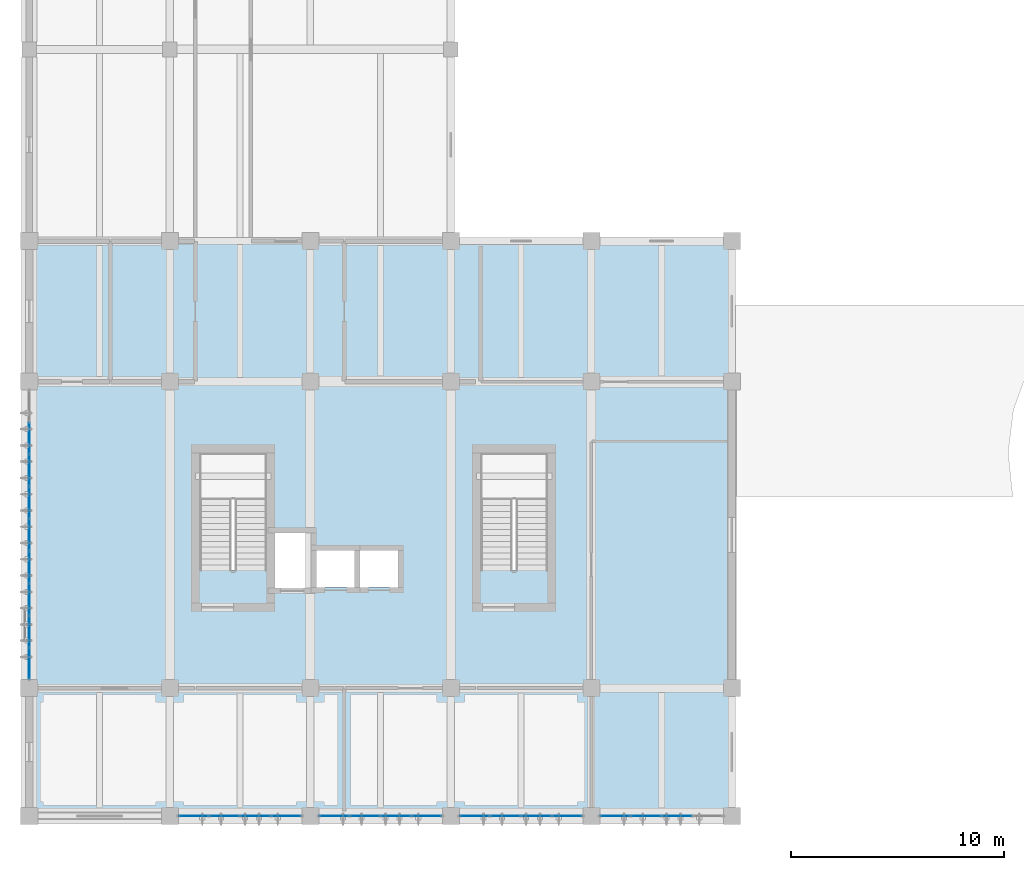
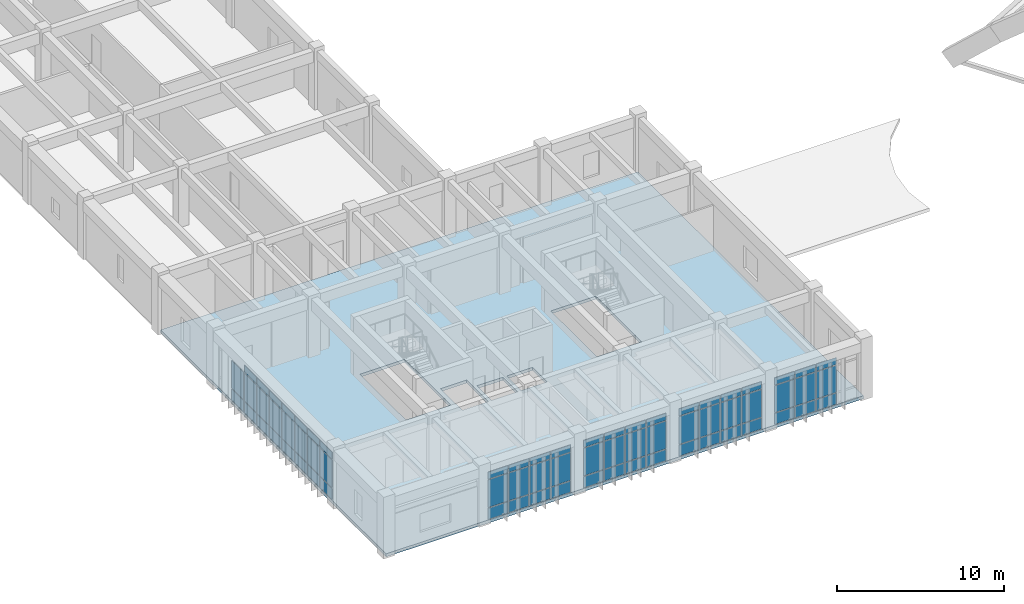
# One storey, part 15 of 34: 68 plates, 1 slab, 5 elements without a shape of their own.
"""IFC4 building model written with IfcOpenShell, lengths in metres."""

import ifcopenshell
import ifcopenshell.guid

model = None  # the IFC model being written
_history = None  # IfcOwnerHistory: only IFC2X3 demands one
_inside = {}  # id of a spatial element -> (the spatial element, [elements in it])
_under = {}  # id of a project, library or spatial element -> (it, [spatial elements below it])
_declared = {}  # id of a project -> (the project, [libraries it declares])
_typed = {}  # id of a type object -> (the type object, [elements of that type])
_made_of = {}  # id of a material, layer set ... -> (it, [elements and type objects made of it])


def new_model(schema):
    """Start an empty IFC model of exactly this schema.

    Asked for "IFC4X3", IfcOpenShell would pick the latest addendum, in which some entities
    have other attributes; the version numbers below select the first issue.
    IFC2X3 requires an IfcOwnerHistory on every rooted entity: one is made here for all.
    """
    global model, _history
    if schema == "IFC4X3":
        model = ifcopenshell.file(schema_version=(4, 3, 0, 0))
    else:
        model = ifcopenshell.file(schema=schema)
    _inside.clear()
    _under.clear()
    _declared.clear()
    _typed.clear()
    _made_of.clear()
    _history = None
    if model.schema == "IFC2X3":
        org = make("IfcOrganization", Name="unknown")
        user = make(
            "IfcPersonAndOrganization",
            ThePerson=make("IfcPerson", FamilyName="unknown"),
            TheOrganization=org,
        )
        app = make(
            "IfcApplication",
            ApplicationDeveloper=org,
            Version="unknown",
            ApplicationFullName="unknown",
            ApplicationIdentifier="unknown",
        )
        _history = make(
            "IfcOwnerHistory",
            OwningUser=user,
            OwningApplication=app,
            ChangeAction="ADDED",
            CreationDate=0,
        )
    return model


def make(cls, **values):
    """One entity of the class cls with the attributes given. An attribute that is None is left unset."""
    return model.create_entity(
        cls, **{name: value for name, value in values.items() if value is not None}
    )


def rooted(cls, **values):
    """An entity with a GlobalId (a new one), such as an element, a storey or a relation."""
    return make(cls, GlobalId=ifcopenshell.guid.new(), OwnerHistory=_history, **values)


def si_unit(unit_type, name, prefix=None):
    """IfcSIUnit, for example si_unit("LENGTHUNIT", "METRE", prefix="MILLI")."""
    return make("IfcSIUnit", UnitType=unit_type, Prefix=prefix, Name=name)


def assignment(units):
    """IfcUnitAssignment: the units of a project."""
    return None if units is None else make("IfcUnitAssignment", Units=units)


def point(xyz):
    """IfcCartesianPoint."""
    return None if xyz is None else make("IfcCartesianPoint", Coordinates=xyz)


def direction(xyz):
    """IfcDirection."""
    return None if xyz is None else make("IfcDirection", DirectionRatios=xyz)


def frame(location, z_axis=None, x_axis=None):
    """IfcAxis2Placement3D, a coordinate frame: its origin and axes. An axis left out is left unset."""
    return make(
        "IfcAxis2Placement3D",
        Location=point(location),
        Axis=direction(z_axis),
        RefDirection=direction(x_axis),
    )


def frame_2d(location, x_axis=None):
    """IfcAxis2Placement2D, a coordinate frame in the plane: its origin and x axis."""
    return make(
        "IfcAxis2Placement2D", Location=point(location), RefDirection=direction(x_axis)
    )


def origin():
    """The frame at (0, 0, 0) with its axes left unset."""
    return frame((0.0, 0.0, 0.0))


def origin_2d():
    """The frame at (0, 0) in the plane with its x axis left unset."""
    return frame_2d((0.0, 0.0))


def place(relative_to, where):
    """IfcLocalPlacement: puts the frame where relative to a parent placement (None: the world)."""
    return make(
        "IfcLocalPlacement", PlacementRelTo=relative_to, RelativePlacement=where
    )


def context(
    kind, dimensions, precision=None, world=None, true_north=None, identifier=None
):
    """IfcGeometricRepresentationContext, for example the 3D "Model" context."""
    return make(
        "IfcGeometricRepresentationContext",
        ContextIdentifier=identifier,
        ContextType=kind,
        CoordinateSpaceDimension=dimensions,
        Precision=precision,
        WorldCoordinateSystem=world,
        TrueNorth=true_north,
    )


def subcontext(parent, identifier, kind, view, scale=None):
    """IfcGeometricRepresentationSubContext, for example "Body" below "Model"."""
    return make(
        "IfcGeometricRepresentationSubContext",
        ContextIdentifier=identifier,
        ContextType=kind,
        ParentContext=parent,
        TargetScale=scale,
        TargetView=view,
    )


def project(units=None, contexts=None):
    """IfcProject with its units and contexts."""
    return rooted(
        "IfcProject",
        Name="project",
        RepresentationContexts=contexts,
        UnitsInContext=assignment(units),
    )


def spatial(cls, under=None, at=None, **own):
    """A site, building, storey or space (cls), placed at a placement, below another one or the project."""
    s = rooted(cls, ObjectPlacement=at, **own)
    if under is not None:
        _under.setdefault(under.id(), (under, []))[1].append(s)
    return s


def polyline(points):
    """IfcPolyline through the points."""
    return make("IfcPolyline", Points=[point(p) for p in points])


def profile(cls, at=None, kind="AREA", **sizes):
    """A parametric profile (cls). Its sizes go by their IFC names, for example OverallWidth=200.0."""
    return make(cls, ProfileType=kind, Position=at, **sizes)


def rectangle(**sizes):
    """IfcRectangleProfileDef."""
    return profile("IfcRectangleProfileDef", **sizes)


def outline(outer, holes=None, kind="AREA"):
    """IfcArbitraryClosedProfileDef: a profile drawn as a closed curve; with holes, ...WithVoids."""
    if holes is None:
        return make("IfcArbitraryClosedProfileDef", ProfileType=kind, OuterCurve=outer)
    return make(
        "IfcArbitraryProfileDefWithVoids",
        ProfileType=kind,
        OuterCurve=outer,
        InnerCurves=holes,
    )


def extrude(swept, where, along, depth):
    """IfcExtrudedAreaSolid: the profile swept, set in the frame where, extruded along a direction by depth."""
    return make(
        "IfcExtrudedAreaSolid",
        SweptArea=swept,
        Position=where,
        ExtrudedDirection=direction(along),
        Depth=depth,
    )


def shape(context_of_items, identifier, shape_type, items):
    """IfcShapeRepresentation: the items that make up one representation, for example the "Body"."""
    return make(
        "IfcShapeRepresentation",
        ContextOfItems=context_of_items,
        RepresentationIdentifier=identifier,
        RepresentationType=shape_type,
        Items=items,
    )


def material(Name=None, Category=None):
    """IfcMaterial."""
    return make("IfcMaterial", Name=Name, Category=Category)


def layer(
    of_material, thickness, ventilated=None, Name=None, Category=None, Priority=None
):
    """IfcMaterialLayer: one layer of a wall or slab, of a material (None: an air gap)."""
    return make(
        "IfcMaterialLayer",
        Material=of_material,
        LayerThickness=thickness,
        IsVentilated=ventilated,
        Name=Name,
        Category=Category,
        Priority=Priority,
    )


def layer_set(layers, Name=None):
    """IfcMaterialLayerSet."""
    return make("IfcMaterialLayerSet", MaterialLayers=layers, LayerSetName=Name)


def made_of(thing, what):
    """Note that an element or type object is made of a material, layer set ...; save() writes the relation."""
    if what is not None:
        _made_of.setdefault(what.id(), (what, []))[1].append(thing)
    return thing


def type_object(cls, material=None, **own):
    """A type object (cls), such as IfcWallType, which elements share."""
    return made_of(rooted(cls, **own), material)


def element(
    cls,
    number,
    at=None,
    inside=None,
    cuts=None,
    type_object=None,
    material=None,
    context=None,
    identifier="Body",
    shape_type=None,
    held_by="IfcProductDefinitionShape",
    body=None,
    shapes=None,
    **own,
):
    """One element of the class cls, such as IfcWall. Its Tag is "e" and its number.

    at: its placement. inside: the storey or other place that contains it. cuts: it is an
    opening in that element (IfcRelVoidsElement). A single representation is given by context,
    identifier, shape_type and body (its items); several are given by shapes. held_by: the class
    of the entity that holds the representations. save() writes the other relations.
    """
    e = rooted(cls, Tag="e%d" % number, ObjectPlacement=at, **own)
    if body is not None:
        shapes = [shape(context, identifier, shape_type, body)]
    if shapes is not None:
        e.Representation = make(held_by, Representations=shapes)
    if inside is not None:
        _inside.setdefault(inside.id(), (inside, []))[1].append(e)
    if cuts is not None:
        rooted(
            "IfcRelVoidsElement", RelatingBuildingElement=cuts, RelatedOpeningElement=e
        )
    if type_object is not None:
        _typed.setdefault(type_object.id(), (type_object, []))[1].append(e)
    return made_of(e, material)


def aggregate(whole, parts):
    """IfcRelAggregates: a whole, such as a stair, and the parts it consists of."""
    return rooted("IfcRelAggregates", RelatingObject=whole, RelatedObjects=parts)


def save(model, path):
    """Write the relations noted so far, then the file.

    IfcRelAggregates (storeys below a building ...), IfcRelContainedInSpatialStructure (elements
    in a storey), IfcRelDefinesByType, IfcRelAssociatesMaterial and IfcRelDeclares: one each for
    every whole, place, type object, material and project.
    """
    for whole, parts in _under.values():
        aggregate(whole, parts)
    for where, things in _inside.values():
        rooted(
            "IfcRelContainedInSpatialStructure",
            RelatedElements=things,
            RelatingStructure=where,
        )
    for kind, things in _typed.values():
        rooted("IfcRelDefinesByType", RelatedObjects=things, RelatingType=kind)
    for what, things in _made_of.values():
        rooted("IfcRelAssociatesMaterial", RelatedObjects=things, RelatingMaterial=what)
    for by, libraries in _declared.values():
        rooted("IfcRelDeclares", RelatingContext=by, RelatedDefinitions=libraries)
    model.write(path)


model = new_model("IFC4")

# Units and contexts
model_context = context("Model", 3, precision=1e-05, world=origin(), true_north=direction((0.0, 1.0)))
body_context = subcontext(model_context, "Body", "Model", "MODEL_VIEW")
ifc_project = project(units=[si_unit("LENGTHUNIT", "METRE"), si_unit("AREAUNIT", "SQUARE_METRE"), si_unit("VOLUMEUNIT", "CUBIC_METRE"), si_unit("PLANEANGLEUNIT", "RADIAN"), si_unit("MASSUNIT", "GRAM", prefix="KILO")], contexts=[model_context])

# Site, building, storey
site_placement = place(None, origin())
site = spatial("IfcSite", under=ifc_project, at=site_placement, CompositionType="ELEMENT")
building_placement = place(site_placement, origin())
building = spatial("IfcBuilding", under=site, at=building_placement, Name="Miralva Faculty of Natural Sciences", CompositionType="ELEMENT")
storey_placement = place(building_placement, frame((0.0, 0.0, 24.0)))
storey = spatial("IfcBuildingStorey", under=building, at=storey_placement, Name="L05", CompositionType="ELEMENT", Elevation=24.0)

# Curtain wall, plates
ifc_material_1 = material(Name="Laminated solar-control glass", Category="glass")
ifc_layer_1 = layer(ifc_material_1, 0.179931640625, Name="CW-TWR-L03")
ifc_layer_set_1 = layer_set([ifc_layer_1], Name="Laminated solar-control glass")
curtain_wall_type = type_object("IfcCurtainWallType", Name="CW-TWR-L03", PredefinedType="USERDEFINED", material=ifc_layer_set_1)
curtain_wall_1_placement = place(storey_placement, origin())
curtain_wall_1 = element("IfcCurtainWall", 1, at=curtain_wall_1_placement, inside=storey, type_object=curtain_wall_type, Name="Curtain wall CW-14 L05-234", ObjectType="UNITISED CURTAIN WALL", PredefinedType="USERDEFINED")
ifc_layer_2 = layer(ifc_material_1, 0.028076171875, Name="PNL-P01")
ifc_layer_set_2 = layer_set([ifc_layer_2], Name="Laminated solar-control glass")
plate_type = type_object("IfcPlateType", Name="PNL-P01", PredefinedType="CURTAIN_PANEL", material=ifc_layer_set_2)
plate_1_placement = place(storey_placement, frame((10.72998046875, 3.0, 0.06005859375), z_axis=(0.0, 0.0, 1.0), x_axis=(1.0, 0.0, 0.0)))
plate_1 = element("IfcPlate", 2, at=plate_1_placement, type_object=plate_type, Name="CW-14 panel 1.1", PredefinedType="CURTAIN_PANEL", context=body_context, shape_type="SweptSolid", body=[
    extrude(rectangle(XDim=1.360107421875, YDim=0.028076171875, at=origin_2d()), origin(), (0.0, 0.0, 1.0), 0.81005859375),
])
plate_2_placement = place(storey_placement, frame((10.72998046875, 3.0, 0.93017578125), z_axis=(0.0, 0.0, 1.0), x_axis=(1.0, 0.0, 0.0)))
plate_2 = element("IfcPlate", 3, at=plate_2_placement, type_object=plate_type, Name="CW-14 panel 1.2", PredefinedType="CURTAIN_PANEL", context=body_context, shape_type="SweptSolid", body=[
    extrude(rectangle(XDim=1.360107421875, YDim=0.028076171875, at=origin_2d()), origin(), (0.0, 0.0, 1.0), 2.014892578125),
])
plate_3_placement = place(storey_placement, frame((10.72998046875, 3.0, 3.0048828125), z_axis=(0.0, 0.0, 1.0), x_axis=(1.0, 0.0, 0.0)))
plate_3 = element("IfcPlate", 4, at=plate_3_placement, type_object=plate_type, Name="CW-14 panel 1.3", PredefinedType="CURTAIN_PANEL", context=body_context, shape_type="SweptSolid", body=[
    extrude(rectangle(XDim=1.360107421875, YDim=0.028076171875, at=origin_2d()), origin(), (0.0, 0.0, 1.0), 0.510009765625),
])
plate_4_placement = place(storey_placement, frame((12.171142578125, 3.0, 0.06005859375), z_axis=(0.0, 0.0, 1.0), x_axis=(1.0, 0.0, 0.0)))
plate_4 = element("IfcPlate", 5, at=plate_4_placement, type_object=plate_type, Name="CW-14 panel 2.1", PredefinedType="CURTAIN_PANEL", context=body_context, shape_type="SweptSolid", body=[
    extrude(rectangle(XDim=1.392578125, YDim=0.028076171875, at=origin_2d()), origin(), (0.0, 0.0, 1.0), 0.81005859375),
])
plate_5_placement = place(storey_placement, frame((12.171142578125, 3.0, 0.93017578125), z_axis=(0.0, 0.0, 1.0), x_axis=(1.0, 0.0, 0.0)))
plate_5 = element("IfcPlate", 6, at=plate_5_placement, type_object=plate_type, Name="CW-14 panel 2.2", PredefinedType="CURTAIN_PANEL", context=body_context, shape_type="SweptSolid", body=[
    extrude(rectangle(XDim=1.392578125, YDim=0.028076171875, at=origin_2d()), origin(), (0.0, 0.0, 1.0), 2.014892578125),
])
plate_6_placement = place(storey_placement, frame((12.171142578125, 3.0, 3.0048828125), z_axis=(0.0, 0.0, 1.0), x_axis=(1.0, 0.0, 0.0)))
plate_6 = element("IfcPlate", 7, at=plate_6_placement, type_object=plate_type, Name="CW-14 panel 2.3", PredefinedType="CURTAIN_PANEL", context=body_context, shape_type="SweptSolid", body=[
    extrude(rectangle(XDim=1.392578125, YDim=0.028076171875, at=origin_2d()), origin(), (0.0, 0.0, 1.0), 0.510009765625),
])
plate_7_placement = place(storey_placement, frame((13.628662109375, 3.0, 0.06005859375), z_axis=(0.0, 0.0, 1.0), x_axis=(1.0, 0.0, 0.0)))
plate_7 = element("IfcPlate", 8, at=plate_7_placement, type_object=plate_type, Name="CW-14 panel 3.1", PredefinedType="CURTAIN_PANEL", context=body_context, shape_type="SweptSolid", body=[
    extrude(rectangle(XDim=1.392578125, YDim=0.028076171875, at=origin_2d()), origin(), (0.0, 0.0, 1.0), 0.81005859375),
])
plate_8_placement = place(storey_placement, frame((13.628662109375, 3.0, 0.93017578125), z_axis=(0.0, 0.0, 1.0), x_axis=(1.0, 0.0, 0.0)))
plate_8 = element("IfcPlate", 9, at=plate_8_placement, type_object=plate_type, Name="CW-14 panel 3.2", PredefinedType="CURTAIN_PANEL", context=body_context, shape_type="SweptSolid", body=[
    extrude(rectangle(XDim=1.392578125, YDim=0.028076171875, at=origin_2d()), origin(), (0.0, 0.0, 1.0), 2.014892578125),
])
plate_9_placement = place(storey_placement, frame((13.628662109375, 3.0, 3.0048828125), z_axis=(0.0, 0.0, 1.0), x_axis=(1.0, 0.0, 0.0)))
plate_9 = element("IfcPlate", 10, at=plate_9_placement, type_object=plate_type, Name="CW-14 panel 3.3", PredefinedType="CURTAIN_PANEL", context=body_context, shape_type="SweptSolid", body=[
    extrude(rectangle(XDim=1.392578125, YDim=0.028076171875, at=origin_2d()), origin(), (0.0, 0.0, 1.0), 0.510009765625),
])
plate_10_placement = place(storey_placement, frame((15.070068359375, 3.0, 0.06005859375), z_axis=(0.0, 0.0, 1.0), x_axis=(1.0, 0.0, 0.0)))
plate_10 = element("IfcPlate", 11, at=plate_10_placement, type_object=plate_type, Name="CW-14 panel 4.1", PredefinedType="CURTAIN_PANEL", context=body_context, shape_type="SweptSolid", body=[
    extrude(rectangle(XDim=1.360107421875, YDim=0.028076171875, at=origin_2d()), origin(), (0.0, 0.0, 1.0), 0.81005859375),
])
plate_11_placement = place(storey_placement, frame((15.070068359375, 3.0, 0.93017578125), z_axis=(0.0, 0.0, 1.0), x_axis=(1.0, 0.0, 0.0)))
plate_11 = element("IfcPlate", 12, at=plate_11_placement, type_object=plate_type, Name="CW-14 panel 4.2", PredefinedType="CURTAIN_PANEL", context=body_context, shape_type="SweptSolid", body=[
    extrude(rectangle(XDim=1.360107421875, YDim=0.028076171875, at=origin_2d()), origin(), (0.0, 0.0, 1.0), 2.014892578125),
])
plate_12_placement = place(storey_placement, frame((15.070068359375, 3.0, 3.0048828125), z_axis=(0.0, 0.0, 1.0), x_axis=(1.0, 0.0, 0.0)))
plate_12 = element("IfcPlate", 13, at=plate_12_placement, type_object=plate_type, Name="CW-14 panel 4.3", PredefinedType="CURTAIN_PANEL", context=body_context, shape_type="SweptSolid", body=[
    extrude(rectangle(XDim=1.360107421875, YDim=0.028076171875, at=origin_2d()), origin(), (0.0, 0.0, 1.0), 0.510009765625),
])
aggregate(curtain_wall_1, [plate_1, plate_2, plate_3, plate_4, plate_5, plate_6, plate_7, plate_8, plate_9, plate_10, plate_11, plate_12])

curtain_wall_2_placement = place(storey_placement, origin())
curtain_wall_2 = element("IfcCurtainWall", 14, at=curtain_wall_2_placement, inside=storey, type_object=curtain_wall_type, Name="Curtain wall CW-14 L05-235", ObjectType="UNITISED CURTAIN WALL", PredefinedType="USERDEFINED")
plate_13_placement = place(storey_placement, frame((17.330078125, 3.0, 0.06005859375), z_axis=(0.0, 0.0, 1.0), x_axis=(1.0, 0.0, 0.0)))
plate_13 = element("IfcPlate", 15, at=plate_13_placement, type_object=plate_type, Name="CW-14 panel 1.1", PredefinedType="CURTAIN_PANEL", context=body_context, shape_type="SweptSolid", body=[
    extrude(rectangle(XDim=1.360107421875, YDim=0.028076171875, at=origin_2d()), origin(), (0.0, 0.0, 1.0), 0.81005859375),
])
plate_14_placement = place(storey_placement, frame((17.330078125, 3.0, 0.93017578125), z_axis=(0.0, 0.0, 1.0), x_axis=(1.0, 0.0, 0.0)))
plate_14 = element("IfcPlate", 16, at=plate_14_placement, type_object=plate_type, Name="CW-14 panel 1.2", PredefinedType="CURTAIN_PANEL", context=body_context, shape_type="SweptSolid", body=[
    extrude(rectangle(XDim=1.360107421875, YDim=0.028076171875, at=origin_2d()), origin(), (0.0, 0.0, 1.0), 2.014892578125),
])
plate_15_placement = place(storey_placement, frame((17.330078125, 3.0, 3.0048828125), z_axis=(0.0, 0.0, 1.0), x_axis=(1.0, 0.0, 0.0)))
plate_15 = element("IfcPlate", 17, at=plate_15_placement, type_object=plate_type, Name="CW-14 panel 1.3", PredefinedType="CURTAIN_PANEL", context=body_context, shape_type="SweptSolid", body=[
    extrude(rectangle(XDim=1.360107421875, YDim=0.028076171875, at=origin_2d()), origin(), (0.0, 0.0, 1.0), 0.510009765625),
])
plate_16_placement = place(storey_placement, frame((18.771240234375, 3.0, 0.06005859375), z_axis=(0.0, 0.0, 1.0), x_axis=(1.0, 0.0, 0.0)))
plate_16 = element("IfcPlate", 18, at=plate_16_placement, type_object=plate_type, Name="CW-14 panel 2.1", PredefinedType="CURTAIN_PANEL", context=body_context, shape_type="SweptSolid", body=[
    extrude(rectangle(XDim=1.392578125, YDim=0.028076171875, at=origin_2d()), origin(), (0.0, 0.0, 1.0), 0.81005859375),
])
plate_17_placement = place(storey_placement, frame((18.771240234375, 3.0, 0.93017578125), z_axis=(0.0, 0.0, 1.0), x_axis=(1.0, 0.0, 0.0)))
plate_17 = element("IfcPlate", 19, at=plate_17_placement, type_object=plate_type, Name="CW-14 panel 2.2", PredefinedType="CURTAIN_PANEL", context=body_context, shape_type="SweptSolid", body=[
    extrude(rectangle(XDim=1.392578125, YDim=0.028076171875, at=origin_2d()), origin(), (0.0, 0.0, 1.0), 2.014892578125),
])
plate_18_placement = place(storey_placement, frame((18.771240234375, 3.0, 3.0048828125), z_axis=(0.0, 0.0, 1.0), x_axis=(1.0, 0.0, 0.0)))
plate_18 = element("IfcPlate", 20, at=plate_18_placement, type_object=plate_type, Name="CW-14 panel 2.3", PredefinedType="CURTAIN_PANEL", context=body_context, shape_type="SweptSolid", body=[
    extrude(rectangle(XDim=1.392578125, YDim=0.028076171875, at=origin_2d()), origin(), (0.0, 0.0, 1.0), 0.510009765625),
])
plate_19_placement = place(storey_placement, frame((20.228759765625, 3.0, 0.06005859375), z_axis=(0.0, 0.0, 1.0), x_axis=(1.0, 0.0, 0.0)))
plate_19 = element("IfcPlate", 21, at=plate_19_placement, type_object=plate_type, Name="CW-14 panel 3.1", PredefinedType="CURTAIN_PANEL", context=body_context, shape_type="SweptSolid", body=[
    extrude(rectangle(XDim=1.392578125, YDim=0.028076171875, at=origin_2d()), origin(), (0.0, 0.0, 1.0), 0.81005859375),
])
plate_20_placement = place(storey_placement, frame((20.228759765625, 3.0, 0.93017578125), z_axis=(0.0, 0.0, 1.0), x_axis=(1.0, 0.0, 0.0)))
plate_20 = element("IfcPlate", 22, at=plate_20_placement, type_object=plate_type, Name="CW-14 panel 3.2", PredefinedType="CURTAIN_PANEL", context=body_context, shape_type="SweptSolid", body=[
    extrude(rectangle(XDim=1.392578125, YDim=0.028076171875, at=origin_2d()), origin(), (0.0, 0.0, 1.0), 2.014892578125),
])
plate_21_placement = place(storey_placement, frame((20.228759765625, 3.0, 3.0048828125), z_axis=(0.0, 0.0, 1.0), x_axis=(1.0, 0.0, 0.0)))
plate_21 = element("IfcPlate", 23, at=plate_21_placement, type_object=plate_type, Name="CW-14 panel 3.3", PredefinedType="CURTAIN_PANEL", context=body_context, shape_type="SweptSolid", body=[
    extrude(rectangle(XDim=1.392578125, YDim=0.028076171875, at=origin_2d()), origin(), (0.0, 0.0, 1.0), 0.510009765625),
])
plate_22_placement = place(storey_placement, frame((21.669921875, 3.0, 0.06005859375), z_axis=(0.0, 0.0, 1.0), x_axis=(1.0, 0.0, 0.0)))
plate_22 = element("IfcPlate", 24, at=plate_22_placement, type_object=plate_type, Name="CW-14 panel 4.1", PredefinedType="CURTAIN_PANEL", context=body_context, shape_type="SweptSolid", body=[
    extrude(rectangle(XDim=1.360107421875, YDim=0.028076171875, at=origin_2d()), origin(), (0.0, 0.0, 1.0), 0.81005859375),
])
plate_23_placement = place(storey_placement, frame((21.669921875, 3.0, 0.93017578125), z_axis=(0.0, 0.0, 1.0), x_axis=(1.0, 0.0, 0.0)))
plate_23 = element("IfcPlate", 25, at=plate_23_placement, type_object=plate_type, Name="CW-14 panel 4.2", PredefinedType="CURTAIN_PANEL", context=body_context, shape_type="SweptSolid", body=[
    extrude(rectangle(XDim=1.360107421875, YDim=0.028076171875, at=origin_2d()), origin(), (0.0, 0.0, 1.0), 2.014892578125),
])
plate_24_placement = place(storey_placement, frame((21.669921875, 3.0, 3.0048828125), z_axis=(0.0, 0.0, 1.0), x_axis=(1.0, 0.0, 0.0)))
plate_24 = element("IfcPlate", 26, at=plate_24_placement, type_object=plate_type, Name="CW-14 panel 4.3", PredefinedType="CURTAIN_PANEL", context=body_context, shape_type="SweptSolid", body=[
    extrude(rectangle(XDim=1.360107421875, YDim=0.028076171875, at=origin_2d()), origin(), (0.0, 0.0, 1.0), 0.510009765625),
])
aggregate(curtain_wall_2, [plate_13, plate_14, plate_15, plate_16, plate_17, plate_18, plate_19, plate_20, plate_21, plate_22, plate_23, plate_24])

curtain_wall_3_placement = place(storey_placement, origin())
curtain_wall_3 = element("IfcCurtainWall", 27, at=curtain_wall_3_placement, inside=storey, type_object=curtain_wall_type, Name="Curtain wall CW-14 L05-236", ObjectType="UNITISED CURTAIN WALL", PredefinedType="USERDEFINED")
plate_25_placement = place(storey_placement, frame((23.929931640625, 3.0, 0.06005859375), z_axis=(0.0, 0.0, 1.0), x_axis=(1.0, 0.0, 0.0)))
plate_25 = element("IfcPlate", 28, at=plate_25_placement, type_object=plate_type, Name="CW-14 panel 1.1", PredefinedType="CURTAIN_PANEL", context=body_context, shape_type="SweptSolid", body=[
    extrude(rectangle(XDim=1.360107421875, YDim=0.028076171875, at=origin_2d()), origin(), (0.0, 0.0, 1.0), 0.81005859375),
])
plate_26_placement = place(storey_placement, frame((23.929931640625, 3.0, 0.93017578125), z_axis=(0.0, 0.0, 1.0), x_axis=(1.0, 0.0, 0.0)))
plate_26 = element("IfcPlate", 29, at=plate_26_placement, type_object=plate_type, Name="CW-14 panel 1.2", PredefinedType="CURTAIN_PANEL", context=body_context, shape_type="SweptSolid", body=[
    extrude(rectangle(XDim=1.360107421875, YDim=0.028076171875, at=origin_2d()), origin(), (0.0, 0.0, 1.0), 2.014892578125),
])
plate_27_placement = place(storey_placement, frame((23.929931640625, 3.0, 3.0048828125), z_axis=(0.0, 0.0, 1.0), x_axis=(1.0, 0.0, 0.0)))
plate_27 = element("IfcPlate", 30, at=plate_27_placement, type_object=plate_type, Name="CW-14 panel 1.3", PredefinedType="CURTAIN_PANEL", context=body_context, shape_type="SweptSolid", body=[
    extrude(rectangle(XDim=1.360107421875, YDim=0.028076171875, at=origin_2d()), origin(), (0.0, 0.0, 1.0), 0.510009765625),
])
plate_28_placement = place(storey_placement, frame((25.371337890625, 3.0, 0.06005859375), z_axis=(0.0, 0.0, 1.0), x_axis=(1.0, 0.0, 0.0)))
plate_28 = element("IfcPlate", 31, at=plate_28_placement, type_object=plate_type, Name="CW-14 panel 2.1", PredefinedType="CURTAIN_PANEL", context=body_context, shape_type="SweptSolid", body=[
    extrude(rectangle(XDim=1.392578125, YDim=0.028076171875, at=origin_2d()), origin(), (0.0, 0.0, 1.0), 0.81005859375),
])
plate_29_placement = place(storey_placement, frame((25.371337890625, 3.0, 0.93017578125), z_axis=(0.0, 0.0, 1.0), x_axis=(1.0, 0.0, 0.0)))
plate_29 = element("IfcPlate", 32, at=plate_29_placement, type_object=plate_type, Name="CW-14 panel 2.2", PredefinedType="CURTAIN_PANEL", context=body_context, shape_type="SweptSolid", body=[
    extrude(rectangle(XDim=1.392578125, YDim=0.028076171875, at=origin_2d()), origin(), (0.0, 0.0, 1.0), 2.014892578125),
])
plate_30_placement = place(storey_placement, frame((25.371337890625, 3.0, 3.0048828125), z_axis=(0.0, 0.0, 1.0), x_axis=(1.0, 0.0, 0.0)))
plate_30 = element("IfcPlate", 33, at=plate_30_placement, type_object=plate_type, Name="CW-14 panel 2.3", PredefinedType="CURTAIN_PANEL", context=body_context, shape_type="SweptSolid", body=[
    extrude(rectangle(XDim=1.392578125, YDim=0.028076171875, at=origin_2d()), origin(), (0.0, 0.0, 1.0), 0.510009765625),
])
plate_31_placement = place(storey_placement, frame((26.828857421875, 3.0, 0.06005859375), z_axis=(0.0, 0.0, 1.0), x_axis=(1.0, 0.0, 0.0)))
plate_31 = element("IfcPlate", 34, at=plate_31_placement, type_object=plate_type, Name="CW-14 panel 3.1", PredefinedType="CURTAIN_PANEL", context=body_context, shape_type="SweptSolid", body=[
    extrude(rectangle(XDim=1.392578125, YDim=0.028076171875, at=origin_2d()), origin(), (0.0, 0.0, 1.0), 0.81005859375),
])
plate_32_placement = place(storey_placement, frame((26.828857421875, 3.0, 0.93017578125), z_axis=(0.0, 0.0, 1.0), x_axis=(1.0, 0.0, 0.0)))
plate_32 = element("IfcPlate", 35, at=plate_32_placement, type_object=plate_type, Name="CW-14 panel 3.2", PredefinedType="CURTAIN_PANEL", context=body_context, shape_type="SweptSolid", body=[
    extrude(rectangle(XDim=1.392578125, YDim=0.028076171875, at=origin_2d()), origin(), (0.0, 0.0, 1.0), 2.014892578125),
])
plate_33_placement = place(storey_placement, frame((26.828857421875, 3.0, 3.0048828125), z_axis=(0.0, 0.0, 1.0), x_axis=(1.0, 0.0, 0.0)))
plate_33 = element("IfcPlate", 36, at=plate_33_placement, type_object=plate_type, Name="CW-14 panel 3.3", PredefinedType="CURTAIN_PANEL", context=body_context, shape_type="SweptSolid", body=[
    extrude(rectangle(XDim=1.392578125, YDim=0.028076171875, at=origin_2d()), origin(), (0.0, 0.0, 1.0), 0.510009765625),
])
plate_34_placement = place(storey_placement, frame((28.27001953125, 3.0, 0.06005859375), z_axis=(0.0, 0.0, 1.0), x_axis=(1.0, 0.0, 0.0)))
plate_34 = element("IfcPlate", 37, at=plate_34_placement, type_object=plate_type, Name="CW-14 panel 4.1", PredefinedType="CURTAIN_PANEL", context=body_context, shape_type="SweptSolid", body=[
    extrude(rectangle(XDim=1.360107421875, YDim=0.028076171875, at=origin_2d()), origin(), (0.0, 0.0, 1.0), 0.81005859375),
])
plate_35_placement = place(storey_placement, frame((28.27001953125, 3.0, 0.93017578125), z_axis=(0.0, 0.0, 1.0), x_axis=(1.0, 0.0, 0.0)))
plate_35 = element("IfcPlate", 38, at=plate_35_placement, type_object=plate_type, Name="CW-14 panel 4.2", PredefinedType="CURTAIN_PANEL", context=body_context, shape_type="SweptSolid", body=[
    extrude(rectangle(XDim=1.360107421875, YDim=0.028076171875, at=origin_2d()), origin(), (0.0, 0.0, 1.0), 2.014892578125),
])
plate_36_placement = place(storey_placement, frame((28.27001953125, 3.0, 3.0048828125), z_axis=(0.0, 0.0, 1.0), x_axis=(1.0, 0.0, 0.0)))
plate_36 = element("IfcPlate", 39, at=plate_36_placement, type_object=plate_type, Name="CW-14 panel 4.3", PredefinedType="CURTAIN_PANEL", context=body_context, shape_type="SweptSolid", body=[
    extrude(rectangle(XDim=1.360107421875, YDim=0.028076171875, at=origin_2d()), origin(), (0.0, 0.0, 1.0), 0.510009765625),
])
aggregate(curtain_wall_3, [plate_25, plate_26, plate_27, plate_28, plate_29, plate_30, plate_31, plate_32, plate_33, plate_34, plate_35, plate_36])

curtain_wall_4_placement = place(storey_placement, origin())
curtain_wall_4 = element("IfcCurtainWall", 40, at=curtain_wall_4_placement, inside=storey, type_object=curtain_wall_type, Name="Curtain wall CW-14 L05-237", ObjectType="UNITISED CURTAIN WALL", PredefinedType="USERDEFINED")
plate_37_placement = place(storey_placement, frame((30.530029296875, 3.0, 0.06005859375), z_axis=(0.0, 0.0, 1.0), x_axis=(1.0, 0.0, 0.0)))
plate_37 = element("IfcPlate", 41, at=plate_37_placement, type_object=plate_type, Name="CW-14 panel 1.1", PredefinedType="CURTAIN_PANEL", context=body_context, shape_type="SweptSolid", body=[
    extrude(rectangle(XDim=1.360107421875, YDim=0.028076171875, at=origin_2d()), origin(), (0.0, 0.0, 1.0), 0.81005859375),
])
plate_38_placement = place(storey_placement, frame((30.530029296875, 3.0, 0.93017578125), z_axis=(0.0, 0.0, 1.0), x_axis=(1.0, 0.0, 0.0)))
plate_38 = element("IfcPlate", 42, at=plate_38_placement, type_object=plate_type, Name="CW-14 panel 1.2", PredefinedType="CURTAIN_PANEL", context=body_context, shape_type="SweptSolid", body=[
    extrude(rectangle(XDim=1.360107421875, YDim=0.028076171875, at=origin_2d()), origin(), (0.0, 0.0, 1.0), 1.965087890625),
])
plate_39_placement = place(storey_placement, frame((30.530029296875, 3.0, 2.955078125), z_axis=(0.0, 0.0, 1.0), x_axis=(1.0, 0.0, 0.0)))
plate_39 = element("IfcPlate", 43, at=plate_39_placement, type_object=plate_type, Name="CW-14 panel 1.3", PredefinedType="CURTAIN_PANEL", context=body_context, shape_type="SweptSolid", body=[
    extrude(rectangle(XDim=1.360107421875, YDim=0.028076171875, at=origin_2d()), origin(), (0.0, 0.0, 1.0), 0.510009765625),
])
plate_40_placement = place(storey_placement, frame((31.97119140625, 3.0, 0.06005859375), z_axis=(0.0, 0.0, 1.0), x_axis=(1.0, 0.0, 0.0)))
plate_40 = element("IfcPlate", 44, at=plate_40_placement, type_object=plate_type, Name="CW-14 panel 2.1", PredefinedType="CURTAIN_PANEL", context=body_context, shape_type="SweptSolid", body=[
    extrude(rectangle(XDim=1.392578125, YDim=0.028076171875, at=origin_2d()), origin(), (0.0, 0.0, 1.0), 0.81005859375),
])
plate_41_placement = place(storey_placement, frame((31.97119140625, 3.0, 0.93017578125), z_axis=(0.0, 0.0, 1.0), x_axis=(1.0, 0.0, 0.0)))
plate_41 = element("IfcPlate", 45, at=plate_41_placement, type_object=plate_type, Name="CW-14 panel 2.2", PredefinedType="CURTAIN_PANEL", context=body_context, shape_type="SweptSolid", body=[
    extrude(rectangle(XDim=1.392578125, YDim=0.028076171875, at=origin_2d()), origin(), (0.0, 0.0, 1.0), 1.965087890625),
])
plate_42_placement = place(storey_placement, frame((31.97119140625, 3.0, 2.955078125), z_axis=(0.0, 0.0, 1.0), x_axis=(1.0, 0.0, 0.0)))
plate_42 = element("IfcPlate", 46, at=plate_42_placement, type_object=plate_type, Name="CW-14 panel 2.3", PredefinedType="CURTAIN_PANEL", context=body_context, shape_type="SweptSolid", body=[
    extrude(rectangle(XDim=1.392578125, YDim=0.028076171875, at=origin_2d()), origin(), (0.0, 0.0, 1.0), 0.510009765625),
])
plate_43_placement = place(storey_placement, frame((33.4287109375, 3.0, 0.06005859375), z_axis=(0.0, 0.0, 1.0), x_axis=(1.0, 0.0, 0.0)))
plate_43 = element("IfcPlate", 47, at=plate_43_placement, type_object=plate_type, Name="CW-14 panel 3.1", PredefinedType="CURTAIN_PANEL", context=body_context, shape_type="SweptSolid", body=[
    extrude(rectangle(XDim=1.392578125, YDim=0.028076171875, at=origin_2d()), origin(), (0.0, 0.0, 1.0), 0.81005859375),
])
plate_44_placement = place(storey_placement, frame((33.4287109375, 3.0, 0.93017578125), z_axis=(0.0, 0.0, 1.0), x_axis=(1.0, 0.0, 0.0)))
plate_44 = element("IfcPlate", 48, at=plate_44_placement, type_object=plate_type, Name="CW-14 panel 3.2", PredefinedType="CURTAIN_PANEL", context=body_context, shape_type="SweptSolid", body=[
    extrude(rectangle(XDim=1.392578125, YDim=0.028076171875, at=origin_2d()), origin(), (0.0, 0.0, 1.0), 1.965087890625),
])
plate_45_placement = place(storey_placement, frame((33.4287109375, 3.0, 2.955078125), z_axis=(0.0, 0.0, 1.0), x_axis=(1.0, 0.0, 0.0)))
plate_45 = element("IfcPlate", 49, at=plate_45_placement, type_object=plate_type, Name="CW-14 panel 3.3", PredefinedType="CURTAIN_PANEL", context=body_context, shape_type="SweptSolid", body=[
    extrude(rectangle(XDim=1.392578125, YDim=0.028076171875, at=origin_2d()), origin(), (0.0, 0.0, 1.0), 0.510009765625),
])
aggregate(curtain_wall_4, [plate_37, plate_38, plate_39, plate_40, plate_41, plate_42, plate_43, plate_44, plate_45])

curtain_wall_5_placement = place(storey_placement, origin())
curtain_wall_5 = element("IfcCurtainWall", 50, at=curtain_wall_5_placement, inside=storey, type_object=curtain_wall_type, Name="Curtain wall CW-14 L05-238", ObjectType="UNITISED CURTAIN WALL", PredefinedType="USERDEFINED")
plate_46_placement = place(storey_placement, frame((3.0, 10.158447265625, 0.06005859375), z_axis=(0.0, 0.0, 1.0), x_axis=(0.0, 1.0, 0.0)))
plate_46 = element("IfcPlate", 51, at=plate_46_placement, type_object=plate_type, Name="CW-14 panel 1.1", PredefinedType="CURTAIN_PANEL", context=body_context, shape_type="SweptSolid", body=[
    extrude(rectangle(XDim=1.4169921875, YDim=0.028076171875, at=origin_2d()), origin(), (0.0, 0.0, 1.0), 0.81005859375),
])
plate_47_placement = place(storey_placement, frame((3.0, 10.158447265625, 0.93017578125), z_axis=(0.0, 0.0, 1.0), x_axis=(0.0, 1.0, 0.0)))
plate_47 = element("IfcPlate", 52, at=plate_47_placement, type_object=plate_type, Name="CW-14 panel 1.2", PredefinedType="CURTAIN_PANEL", context=body_context, shape_type="SweptSolid", body=[
    extrude(rectangle(XDim=1.4169921875, YDim=0.028076171875, at=origin_2d()), origin(), (0.0, 0.0, 1.0), 2.014892578125),
])
plate_48_placement = place(storey_placement, frame((3.0, 10.158447265625, 3.0048828125), z_axis=(0.0, 0.0, 1.0), x_axis=(0.0, 1.0, 0.0)))
plate_48 = element("IfcPlate", 53, at=plate_48_placement, type_object=plate_type, Name="CW-14 panel 1.3", PredefinedType="CURTAIN_PANEL", context=body_context, shape_type="SweptSolid", body=[
    extrude(rectangle(XDim=1.4169921875, YDim=0.028076171875, at=origin_2d()), origin(), (0.0, 0.0, 1.0), 0.510009765625),
])
plate_49_placement = place(storey_placement, frame((3.0, 11.65673828125, 0.06005859375), z_axis=(0.0, 0.0, 1.0), x_axis=(0.0, 1.0, 0.0)))
plate_49 = element("IfcPlate", 54, at=plate_49_placement, type_object=plate_type, Name="CW-14 panel 2.1", PredefinedType="CURTAIN_PANEL", context=body_context, shape_type="SweptSolid", body=[
    extrude(rectangle(XDim=1.449462890625, YDim=0.028076171875, at=origin_2d()), origin(), (0.0, 0.0, 1.0), 0.81005859375),
])
plate_50_placement = place(storey_placement, frame((3.0, 11.65673828125, 0.93017578125), z_axis=(0.0, 0.0, 1.0), x_axis=(0.0, 1.0, 0.0)))
plate_50 = element("IfcPlate", 55, at=plate_50_placement, type_object=plate_type, Name="CW-14 panel 2.2", PredefinedType="CURTAIN_PANEL", context=body_context, shape_type="SweptSolid", body=[
    extrude(rectangle(XDim=1.449462890625, YDim=0.028076171875, at=origin_2d()), origin(), (0.0, 0.0, 1.0), 2.014892578125),
])
plate_51_placement = place(storey_placement, frame((3.0, 11.65673828125, 3.0048828125), z_axis=(0.0, 0.0, 1.0), x_axis=(0.0, 1.0, 0.0)))
plate_51 = element("IfcPlate", 56, at=plate_51_placement, type_object=plate_type, Name="CW-14 panel 2.3", PredefinedType="CURTAIN_PANEL", context=body_context, shape_type="SweptSolid", body=[
    extrude(rectangle(XDim=1.449462890625, YDim=0.028076171875, at=origin_2d()), origin(), (0.0, 0.0, 1.0), 0.510009765625),
])
plate_52_placement = place(storey_placement, frame((3.0, 13.171142578125, 0.06005859375), z_axis=(0.0, 0.0, 1.0), x_axis=(0.0, 1.0, 0.0)))
plate_52 = element("IfcPlate", 57, at=plate_52_placement, type_object=plate_type, Name="CW-14 panel 3.1", PredefinedType="CURTAIN_PANEL", context=body_context, shape_type="SweptSolid", body=[
    extrude(rectangle(XDim=1.449462890625, YDim=0.028076171875, at=origin_2d()), origin(), (0.0, 0.0, 1.0), 0.81005859375),
])
plate_53_placement = place(storey_placement, frame((3.0, 13.171142578125, 0.93017578125), z_axis=(0.0, 0.0, 1.0), x_axis=(0.0, 1.0, 0.0)))
plate_53 = element("IfcPlate", 58, at=plate_53_placement, type_object=plate_type, Name="CW-14 panel 3.2", PredefinedType="CURTAIN_PANEL", context=body_context, shape_type="SweptSolid", body=[
    extrude(rectangle(XDim=1.449462890625, YDim=0.028076171875, at=origin_2d()), origin(), (0.0, 0.0, 1.0), 2.014892578125),
])
plate_54_placement = place(storey_placement, frame((3.0, 13.171142578125, 3.0048828125), z_axis=(0.0, 0.0, 1.0), x_axis=(0.0, 1.0, 0.0)))
plate_54 = element("IfcPlate", 59, at=plate_54_placement, type_object=plate_type, Name="CW-14 panel 3.3", PredefinedType="CURTAIN_PANEL", context=body_context, shape_type="SweptSolid", body=[
    extrude(rectangle(XDim=1.449462890625, YDim=0.028076171875, at=origin_2d()), origin(), (0.0, 0.0, 1.0), 0.510009765625),
])
plate_55_placement = place(storey_placement, frame((3.0, 14.685546875, 0.06005859375), z_axis=(0.0, 0.0, 1.0), x_axis=(0.0, 1.0, 0.0)))
plate_55 = element("IfcPlate", 60, at=plate_55_placement, type_object=plate_type, Name="CW-14 panel 4.1", PredefinedType="CURTAIN_PANEL", context=body_context, shape_type="SweptSolid", body=[
    extrude(rectangle(XDim=1.449462890625, YDim=0.028076171875, at=origin_2d()), origin(), (0.0, 0.0, 1.0), 0.81005859375),
])
plate_56_placement = place(storey_placement, frame((3.0, 14.685546875, 0.93017578125), z_axis=(0.0, 0.0, 1.0), x_axis=(0.0, 1.0, 0.0)))
plate_56 = element("IfcPlate", 61, at=plate_56_placement, type_object=plate_type, Name="CW-14 panel 4.2", PredefinedType="CURTAIN_PANEL", context=body_context, shape_type="SweptSolid", body=[
    extrude(rectangle(XDim=1.449462890625, YDim=0.028076171875, at=origin_2d()), origin(), (0.0, 0.0, 1.0), 2.014892578125),
])
plate_57_placement = place(storey_placement, frame((3.0, 14.685546875, 3.0048828125), z_axis=(0.0, 0.0, 1.0), x_axis=(0.0, 1.0, 0.0)))
plate_57 = element("IfcPlate", 62, at=plate_57_placement, type_object=plate_type, Name="CW-14 panel 4.3", PredefinedType="CURTAIN_PANEL", context=body_context, shape_type="SweptSolid", body=[
    extrude(rectangle(XDim=1.449462890625, YDim=0.028076171875, at=origin_2d()), origin(), (0.0, 0.0, 1.0), 0.510009765625),
])
plate_58_placement = place(storey_placement, frame((3.0, 16.199951171875, 0.06005859375), z_axis=(0.0, 0.0, 1.0), x_axis=(0.0, 1.0, 0.0)))
plate_58 = element("IfcPlate", 63, at=plate_58_placement, type_object=plate_type, Name="CW-14 panel 5.1", PredefinedType="CURTAIN_PANEL", context=body_context, shape_type="SweptSolid", body=[
    extrude(rectangle(XDim=1.449462890625, YDim=0.028076171875, at=origin_2d()), origin(), (0.0, 0.0, 1.0), 0.81005859375),
])
plate_59_placement = place(storey_placement, frame((3.0, 16.199951171875, 0.93017578125), z_axis=(0.0, 0.0, 1.0), x_axis=(0.0, 1.0, 0.0)))
plate_59 = element("IfcPlate", 64, at=plate_59_placement, type_object=plate_type, Name="CW-14 panel 5.2", PredefinedType="CURTAIN_PANEL", context=body_context, shape_type="SweptSolid", body=[
    extrude(rectangle(XDim=1.449462890625, YDim=0.028076171875, at=origin_2d()), origin(), (0.0, 0.0, 1.0), 2.014892578125),
])
plate_60_placement = place(storey_placement, frame((3.0, 16.199951171875, 3.0048828125), z_axis=(0.0, 0.0, 1.0), x_axis=(0.0, 1.0, 0.0)))
plate_60 = element("IfcPlate", 65, at=plate_60_placement, type_object=plate_type, Name="CW-14 panel 5.3", PredefinedType="CURTAIN_PANEL", context=body_context, shape_type="SweptSolid", body=[
    extrude(rectangle(XDim=1.449462890625, YDim=0.028076171875, at=origin_2d()), origin(), (0.0, 0.0, 1.0), 0.510009765625),
])
plate_61_placement = place(storey_placement, frame((3.0, 17.71435546875, 0.06005859375), z_axis=(0.0, 0.0, 1.0), x_axis=(0.0, 1.0, 0.0)))
plate_61 = element("IfcPlate", 66, at=plate_61_placement, type_object=plate_type, Name="CW-14 panel 6.1", PredefinedType="CURTAIN_PANEL", context=body_context, shape_type="SweptSolid", body=[
    extrude(rectangle(XDim=1.449462890625, YDim=0.028076171875, at=origin_2d()), origin(), (0.0, 0.0, 1.0), 0.81005859375),
])
plate_62_placement = place(storey_placement, frame((3.0, 17.71435546875, 0.93017578125), z_axis=(0.0, 0.0, 1.0), x_axis=(0.0, 1.0, 0.0)))
plate_62 = element("IfcPlate", 67, at=plate_62_placement, type_object=plate_type, Name="CW-14 panel 6.2", PredefinedType="CURTAIN_PANEL", context=body_context, shape_type="SweptSolid", body=[
    extrude(rectangle(XDim=1.449462890625, YDim=0.028076171875, at=origin_2d()), origin(), (0.0, 0.0, 1.0), 2.014892578125),
])
plate_63_placement = place(storey_placement, frame((3.0, 17.71435546875, 3.0048828125), z_axis=(0.0, 0.0, 1.0), x_axis=(0.0, 1.0, 0.0)))
plate_63 = element("IfcPlate", 68, at=plate_63_placement, type_object=plate_type, Name="CW-14 panel 6.3", PredefinedType="CURTAIN_PANEL", context=body_context, shape_type="SweptSolid", body=[
    extrude(rectangle(XDim=1.449462890625, YDim=0.028076171875, at=origin_2d()), origin(), (0.0, 0.0, 1.0), 0.510009765625),
])
plate_64_placement = place(storey_placement, frame((3.0, 19.22900390625, 0.06005859375), z_axis=(0.0, 0.0, 1.0), x_axis=(0.0, 1.0, 0.0)))
plate_64 = element("IfcPlate", 69, at=plate_64_placement, type_object=plate_type, Name="CW-14 panel 7.1", PredefinedType="CURTAIN_PANEL", context=body_context, shape_type="SweptSolid", body=[
    extrude(rectangle(XDim=1.449462890625, YDim=0.028076171875, at=origin_2d()), origin(), (0.0, 0.0, 1.0), 0.81005859375),
])
plate_65_placement = place(storey_placement, frame((3.0, 19.22900390625, 0.93017578125), z_axis=(0.0, 0.0, 1.0), x_axis=(0.0, 1.0, 0.0)))
plate_65 = element("IfcPlate", 70, at=plate_65_placement, type_object=plate_type, Name="CW-14 panel 7.2", PredefinedType="CURTAIN_PANEL", context=body_context, shape_type="SweptSolid", body=[
    extrude(rectangle(XDim=1.449462890625, YDim=0.028076171875, at=origin_2d()), origin(), (0.0, 0.0, 1.0), 2.014892578125),
])
plate_66_placement = place(storey_placement, frame((3.0, 19.22900390625, 3.0048828125), z_axis=(0.0, 0.0, 1.0), x_axis=(0.0, 1.0, 0.0)))
plate_66 = element("IfcPlate", 71, at=plate_66_placement, type_object=plate_type, Name="CW-14 panel 7.3", PredefinedType="CURTAIN_PANEL", context=body_context, shape_type="SweptSolid", body=[
    extrude(rectangle(XDim=1.449462890625, YDim=0.028076171875, at=origin_2d()), origin(), (0.0, 0.0, 1.0), 0.510009765625),
])
plate_67_placement = place(storey_placement, frame((3.0, 20.743408203125, 0.06005859375), z_axis=(0.0, 0.0, 1.0), x_axis=(0.0, 1.0, 0.0)))
plate_67 = element("IfcPlate", 72, at=plate_67_placement, type_object=plate_type, Name="CW-14 panel 8.1", PredefinedType="CURTAIN_PANEL", context=body_context, shape_type="SweptSolid", body=[
    extrude(rectangle(XDim=1.449462890625, YDim=0.028076171875, at=origin_2d()), origin(), (0.0, 0.0, 1.0), 0.81005859375),
])
plate_68_placement = place(storey_placement, frame((3.0, 20.743408203125, 0.93017578125), z_axis=(0.0, 0.0, 1.0), x_axis=(0.0, 1.0, 0.0)))
plate_68 = element("IfcPlate", 73, at=plate_68_placement, type_object=plate_type, Name="CW-14 panel 8.2", PredefinedType="CURTAIN_PANEL", context=body_context, shape_type="SweptSolid", body=[
    extrude(rectangle(XDim=1.449462890625, YDim=0.028076171875, at=origin_2d()), origin(), (0.0, 0.0, 1.0), 2.014892578125),
])
aggregate(curtain_wall_5, [plate_46, plate_47, plate_48, plate_49, plate_50, plate_51, plate_52, plate_53, plate_54, plate_55, plate_56, plate_57, plate_58, plate_59, plate_60, plate_61, plate_62, plate_63, plate_64, plate_65, plate_66, plate_67, plate_68])

# Slab
ifc_material_2 = material(Name="Concrete C40/50", Category="concrete")
ifc_layer_3 = layer(ifc_material_2, 0.219970703125, Name="SL-FL04")
ifc_layer_set_3 = layer_set([ifc_layer_3], Name="Concrete C40/50")
slab_type = type_object("IfcSlabType", Name="SL-FL04", PredefinedType="FLOOR", material=ifc_layer_set_3)
slab_placement = place(storey_placement, frame((0.0, 0.0, -0.219970703125)))
element("IfcSlab", 74, at=slab_placement, inside=storey, type_object=slab_type, Name="V5 L05 floor slab", PredefinedType="FLOOR", context=body_context, shape_type="SweptSolid", body=[
    extrude(outline(polyline([(36.0, 3.0), (3.0, 3.0), (3.0, 30.0), (36.0, 30.0), (36.0, 3.0)]), holes=[polyline([(14.125, 14.52490234375), (11.02490234375, 14.52490234375), (11.02490234375, 20.02490234375), (14.125, 20.02490234375), (14.125, 14.52490234375)]), polyline([(16.25, 13.699951171875), (14.449951171875, 13.699951171875), (14.449951171875, 16.300048828125), (16.25, 16.300048828125), (16.25, 13.699951171875)]), polyline([(18.2900390625, 13.72509765625), (16.489990234375, 13.72509765625), (16.489990234375, 15.47509765625), (18.2900390625, 15.47509765625), (18.2900390625, 13.72509765625)]), polyline([(27.324951171875, 14.52490234375), (24.22509765625, 14.52490234375), (24.22509765625, 20.02490234375), (27.324951171875, 20.02490234375), (27.324951171875, 14.52490234375)]), polyline([(20.330078125, 13.72509765625), (18.530029296875, 13.72509765625), (18.530029296875, 15.47509765625), (20.330078125, 15.47509765625), (20.330078125, 13.72509765625)])]), origin(), (0.0, 0.0, 1.0), 0.219970703125),
])

save(model, "model.ifc")
